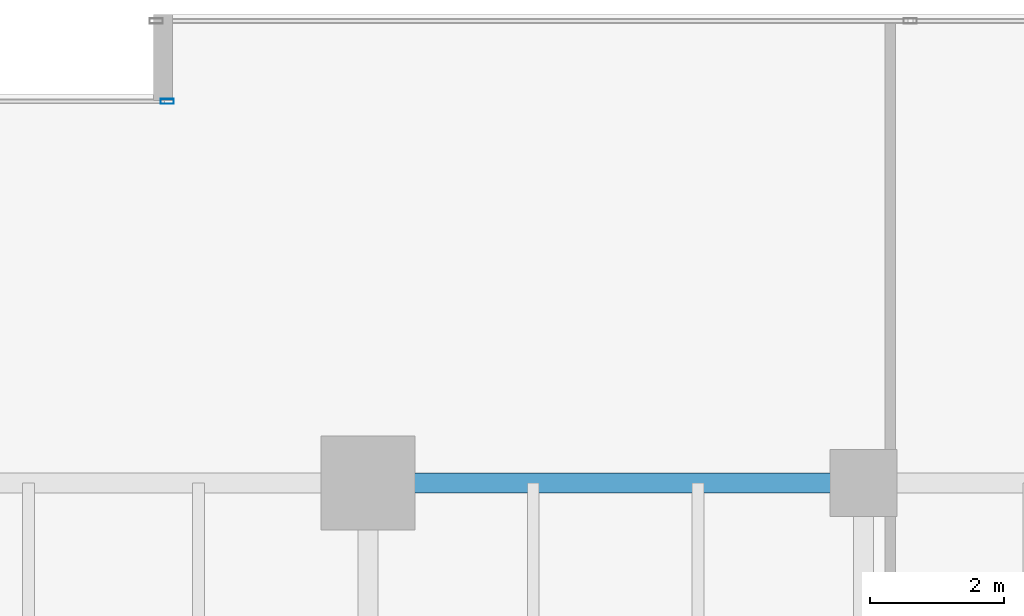
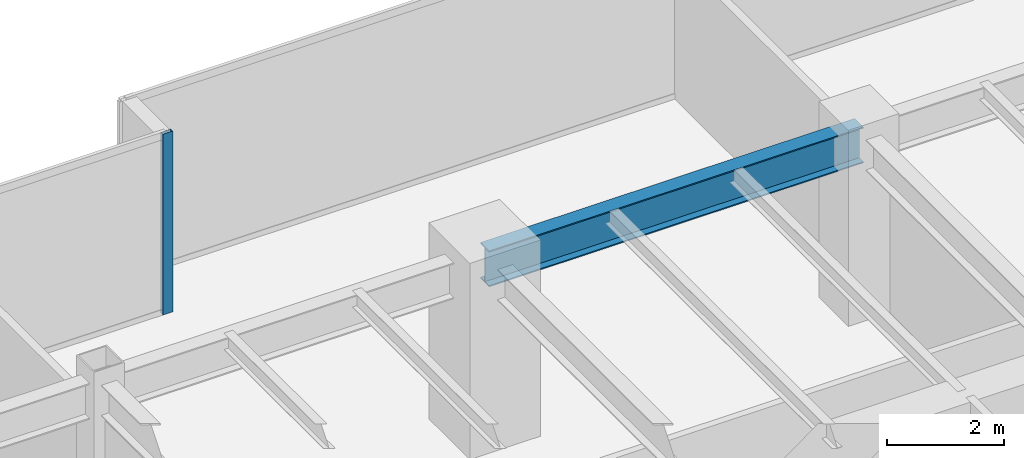
# One storey, part 20 of 35: 1 beam, 1 member, 1 element without a shape of its own.
"""IFC4 building model written with IfcOpenShell, lengths in metres."""

from ifc_helpers import new_model, si_unit, direction, frame, origin, origin_2d, place, context, subcontext, project, spatial, hollow_rectangle, i_section, extrude, source, transform, mapped, material, layer, layer_set, material_profile, profile_set, type_object, type_shapes, element, aggregate, save


model = new_model("IFC4")

# Units and contexts
model_context = context("Model", 3, precision=1e-05, world=origin(), true_north=direction((0.0, 1.0)))
body_context = subcontext(model_context, "Body", "Model", "MODEL_VIEW")
ifc_project = project(units=[si_unit("LENGTHUNIT", "METRE"), si_unit("AREAUNIT", "SQUARE_METRE"), si_unit("VOLUMEUNIT", "CUBIC_METRE"), si_unit("PLANEANGLEUNIT", "RADIAN"), si_unit("MASSUNIT", "GRAM", prefix="KILO")], contexts=[model_context])

# Site, building, storey
site_placement = place(None, origin())
site = spatial("IfcSite", under=ifc_project, at=site_placement, CompositionType="ELEMENT")
building_placement = place(site_placement, origin())
building = spatial("IfcBuilding", under=site, at=building_placement, Name="Haelvirn Gate Laboratories", CompositionType="ELEMENT")
storey_placement = place(building_placement, frame((0.0, 0.0, 70.300048828125)))
storey = spatial("IfcBuildingStorey", under=building, at=storey_placement, Name="L17", CompositionType="ELEMENT", Elevation=70.300048828125)

# Beam
ifc_material_1 = material(Name="Steel SM355", Category="steel")
ifc_material_profile_1 = material_profile(ifc_material_1, i_section(OverallWidth=0.300048828125, OverallDepth=0.75, WebThickness=0.013916015625, FlangeThickness=0.02392578125, at=origin_2d()), Name="H-750x300x14x24")
ifc_profile_set_1 = profile_set([ifc_material_profile_1], Name="Steel SM355")
beam_type = type_object("IfcBeamType", Name="BM-G-750", PredefinedType="BEAM", material=ifc_profile_set_1)
shared_shape_1 = source(origin(), body_context, "Body", "SweptSolid", [
    extrude(i_section(OverallWidth=0.300048828125, OverallDepth=0.75, WebThickness=0.013916015625, FlangeThickness=0.02392578125, at=origin_2d()), origin(), (0.0, 0.0, 1.0), 7.39990234375),
])
type_shapes(beam_type, [shared_shape_1])
beam_placement = place(storey_placement, frame((52.60009765625, 41.60009765625, 3.405029296875), z_axis=(1.0, 0.0, 0.0), x_axis=(0.0, 1.0, 0.0)))
element("IfcBeam", 1, at=beam_placement, inside=storey, type_object=beam_type, Name="L17 Primary Girder Y41.6 (52.6-60.0)", PredefinedType="BEAM", context=body_context, shape_type="MappedRepresentation", body=[
    mapped(shared_shape_1, transform((0.0, 0.0, 0.0), scale=1.0)),
])

# Curtain wall, member
ifc_material_2 = material(Name="Anodised bronze unitised aluminium & triple low-E glass", Category="aluminium")
ifc_layer = layer(ifc_material_2, 0.18408203125, Name="CW-SYS-2")
ifc_layer_set = layer_set([ifc_layer], Name="Anodised bronze unitised aluminium & triple low-E glass")
curtain_wall_type = type_object("IfcCurtainWallType", Name="CW-SYS-2", PredefinedType="NOTDEFINED", material=ifc_layer_set)
curtain_wall_placement = place(storey_placement, origin())
curtain_wall = element("IfcCurtainWall", 2, at=curtain_wall_placement, inside=storey, type_object=curtain_wall_type, Name="L17 Unitised Curtain Wall CW-L17-P0-E12-1", PredefinedType="NOTDEFINED")
ifc_material_3 = material(Name="Extruded aluminium 6063-T6 (anodised bronze)", Category="aluminium")
ifc_material_profile_2 = material_profile(ifc_material_3, hollow_rectangle(XDim=0.074951171875, YDim=0.199951171875, WallThickness=0.0048828125, at=origin_2d()), Name="CWM-200x75x5")
ifc_profile_set_2 = profile_set([ifc_material_profile_2], Name="Extruded aluminium 6063-T6 (anodised bronze)")
member_type = type_object("IfcMemberType", Name="CWM-T200", PredefinedType="MULLION", material=ifc_profile_set_2)
shared_shape_2 = source(origin(), body_context, "Body", "SweptSolid", [
    extrude(hollow_rectangle(XDim=0.074951171875, YDim=0.199951171875, WallThickness=0.0048828125, at=origin_2d()), origin(), (0.0, 0.0, 1.0), 3.780029296875),
])
type_shapes(member_type, [shared_shape_2])
member_placement = place(storey_placement, frame((49.6025390625, 47.300048828125, 0.0), z_axis=(0.0, 0.0, 1.0), x_axis=(0.0, 1.0, 0.0)))
member = element("IfcMember", 3, at=member_placement, type_object=member_type, Name="CW2 mullion 3", PredefinedType="MULLION", context=body_context, shape_type="MappedRepresentation", body=[
    mapped(shared_shape_2, transform((0.0, 0.0, 0.0), scale=1.0)),
])
aggregate(curtain_wall, [member])

save(model, "model.ifc")
